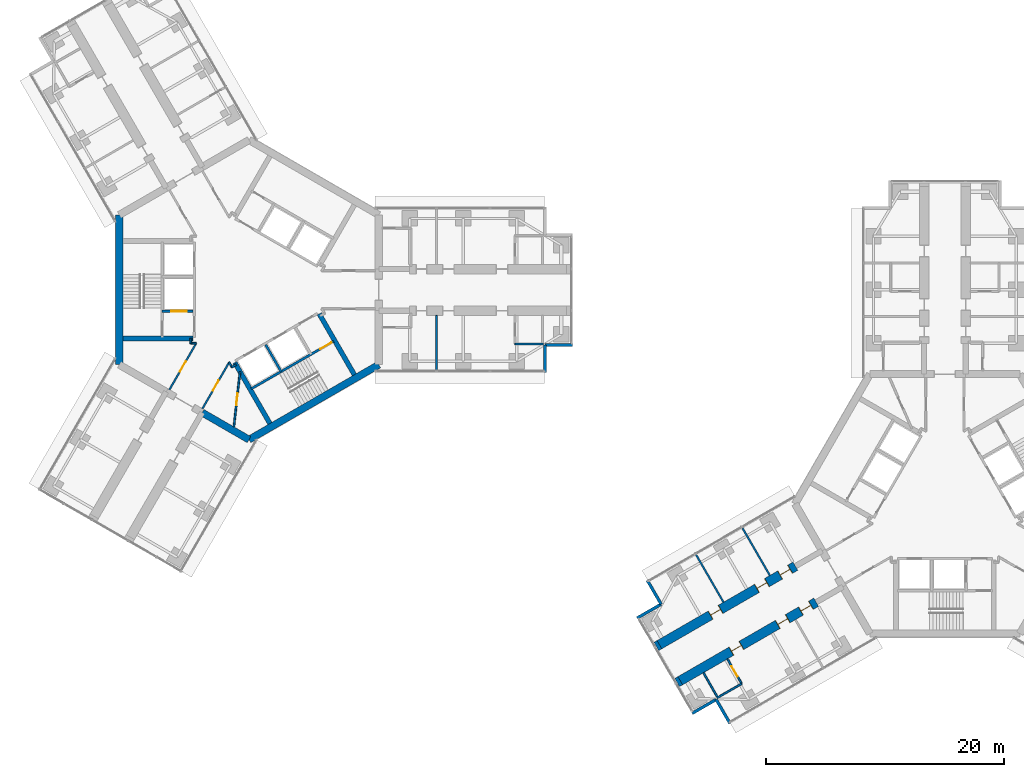
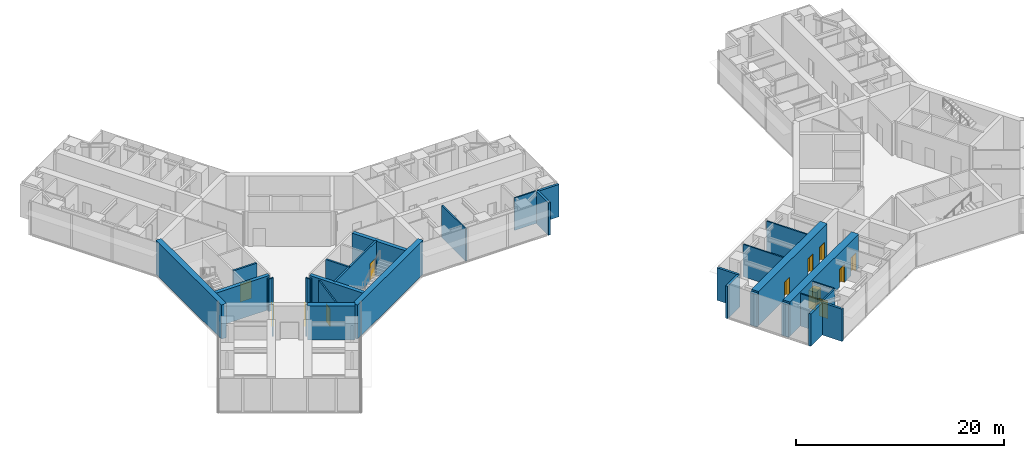
# One storey, part 15 of 22: 33 walls, 12 doors, 12 openings.
"""IFC4 building model written with IfcOpenShell, lengths in metres."""

from ifc_helpers import new_model, si_unit, direction, frame, frame_2d, origin, place, context, subcontext, project, spatial, rectangle, extrude, material, layer, layer_set, type_object, element, fill, save


model = new_model("IFC4")

# Units and contexts
model_context = context("Model", 3, precision=1e-05, world=origin(), true_north=direction((0.0, 1.0)))
body_context = subcontext(model_context, "Body", "Model", "MODEL_VIEW")
ifc_project = project(units=[si_unit("LENGTHUNIT", "METRE"), si_unit("AREAUNIT", "SQUARE_METRE"), si_unit("VOLUMEUNIT", "CUBIC_METRE"), si_unit("PLANEANGLEUNIT", "RADIAN"), si_unit("MASSUNIT", "GRAM", prefix="KILO")], contexts=[model_context])

# Site, building, storey
site_placement = place(None, origin())
site = spatial("IfcSite", under=ifc_project, at=site_placement, CompositionType="ELEMENT")
building_placement = place(site_placement, origin())
building = spatial("IfcBuilding", under=site, at=building_placement, Name="Upepo Twin Towers", CompositionType="ELEMENT")
storey_placement = place(building_placement, frame((0.0, 0.0, 125.5)))
storey = spatial("IfcBuildingStorey", under=building, at=storey_placement, Name="L30", CompositionType="ELEMENT", Elevation=125.5)

# Walls
ifc_material_1 = material(Name="Dense concrete blockwork", Category="masonry")
ifc_layer_1 = layer(ifc_material_1, 0.800048828125)
ifc_layer_set_1 = layer_set([ifc_layer_1], Name="Buttress closer 800, blockwork with fire-stopping to the curtain wall")
wall_type_1 = type_object("IfcWallType", Name="Buttress closer 800, blockwork with fire-stopping to the curtain wall", PredefinedType="PARTITIONING", material=ifc_layer_set_1)
wall_1_placement = place(storey_placement, frame((36.252197265625, -32.865478515625, 0.0), z_axis=(0.0, 0.0, 1.0), x_axis=(-0.865778900179, -0.500426713919, 0.0)))
element("IfcWall", 1, at=wall_1_placement, inside=storey, type_object=wall_type_1, Name="T2 L30 wing B buttress closer L", PredefinedType="PARTITIONING", context=body_context, shape_type="SweptSolid", body=[
    extrude(rectangle(XDim=0.300048828125, YDim=0.800048828125, at=frame_2d((0.14990234375, 0.0))), origin(), (0.0, 0.0, 1.0), 3.800048828125),
])
wall_2_placement = place(storey_placement, frame((34.502197265625, -29.83447265625, 0.0), z_axis=(0.0, 0.0, 1.0), x_axis=(-0.866131372301, -0.499816412211, 0.0)))
element("IfcWall", 2, at=wall_2_placement, inside=storey, type_object=wall_type_1, Name="T2 L30 wing B buttress closer R", PredefinedType="PARTITIONING", context=body_context, shape_type="SweptSolid", body=[
    extrude(rectangle(XDim=0.2998046875, YDim=0.800048828125, at=frame_2d((0.14990234375, 0.0))), origin(), (0.0, 0.0, 1.0), 3.800048828125),
])

# Wall, openings, doors
ifc_material_2 = material(Name="Concrete C60/75", Category="concrete")
ifc_layer_2 = layer(ifc_material_2, 0.800048828125)
ifc_layer_set_2 = layer_set([ifc_layer_2], Name="Concrete C60/75")
wall_type_2 = type_object("IfcWallType", Name="Buttress wall 800 RC", PredefinedType="SHEAR", material=ifc_layer_set_2)
wall_3_placement = place(storey_placement, frame((47.68359375, -26.265625, 0.0), z_axis=(0.0, 0.0, 1.0), x_axis=(-0.866027579429, -0.499996231654, 0.0)))
wall_3 = element("IfcWall", 3, at=wall_3_placement, inside=storey, type_object=wall_type_2, Name="T2 wing B buttress wall L part 2", PredefinedType="SHEAR", context=body_context, shape_type="SweptSolid", body=[
    extrude(rectangle(XDim=13.19970703125, YDim=0.800048828125, at=frame_2d((6.599853515625, 0.0))), origin(), (0.0, 0.0, 1.0), 4.0),
])
opening_1_placement = place(wall_3_placement, frame((0.5, 0.0, 0.0)))
opening_1 = element("IfcOpeningElement", 4, at=opening_1_placement, cuts=wall_3, Name="Opening D1", PredefinedType="OPENING", context=body_context, shape_type="SweptSolid", body=[
    extrude(rectangle(XDim=1.0, YDim=2.10009765625, at=frame_2d((0.5, 1.050048828125))), frame((0.0, 0.409912109375, 0.0), z_axis=(0.0, -1.0, 0.0), x_axis=(1.0, 0.0, 0.0)), (0.0, 0.0, 1.0), 0.820068359375),
])
opening_2_placement = place(wall_3_placement, frame((2.75, 0.0, 0.0)))
opening_2 = element("IfcOpeningElement", 5, at=opening_2_placement, cuts=wall_3, Name="Opening D1", PredefinedType="OPENING", context=body_context, shape_type="SweptSolid", body=[
    extrude(rectangle(XDim=1.0, YDim=2.10009765625, at=frame_2d((0.5, 1.050048828125))), frame((0.0, 0.409912109375, 0.0), z_axis=(0.0, -1.0, 0.0), x_axis=(1.0, 0.0, 0.0)), (0.0, 0.0, 1.0), 0.820068359375),
])
opening_3_placement = place(wall_3_placement, frame((7.25, 0.0, 0.0)))
opening_3 = element("IfcOpeningElement", 6, at=opening_3_placement, cuts=wall_3, Name="Opening D1", PredefinedType="OPENING", context=body_context, shape_type="SweptSolid", body=[
    extrude(rectangle(XDim=1.0, YDim=2.10009765625, at=frame_2d((0.5, 1.050048828125))), frame((0.0, 0.409912109375, 0.0), z_axis=(0.0, -1.0, 0.0), x_axis=(1.0, 0.0, 0.0)), (0.0, 0.0, 1.0), 0.820068359375),
])
ifc_material_3 = material(Name="Timber doorset", Category="wood")
door_type_1 = type_object("IfcDoorType", Name="Room door 1000 FD30", OperationType="SINGLE_SWING_LEFT", PredefinedType="DOOR", material=ifc_material_3)
door_1_placement = place(opening_1_placement, origin())
door_1 = element("IfcDoor", 7, at=door_1_placement, inside=storey, type_object=door_type_1, Name="T2 L30 tutorial room door", OperationType="SINGLE_SWING_LEFT", OverallHeight=2.10009765625, OverallWidth=1.0, PredefinedType="DOOR", context=body_context, shape_type="SweptSolid", body=[
    extrude(rectangle(XDim=0.92, YDim=2.06009765625, at=frame_2d((0.5, 1.030029296875))), frame((0.0, 0.02490234375, 0.0), z_axis=(0.0, -1.0, 0.0), x_axis=(1.0, 0.0, 0.0)), (0.0, 0.0, 1.0), 0.050048828125),
    extrude(rectangle(XDim=0.04, YDim=2.10009765625, at=frame_2d((0.02001953125, 1.050048828125))), frame((0.0, 0.39990234375, 0.0), z_axis=(0.0, -1.0, 0.0), x_axis=(1.0, 0.0, 0.0)), (0.0, 0.0, 1.0), 0.799560546875),
    extrude(rectangle(XDim=0.04, YDim=2.10009765625, at=frame_2d((0.97998046875, 1.050048828125))), frame((0.0, 0.39990234375, 0.0), z_axis=(0.0, -1.0, 0.0), x_axis=(1.0, 0.0, 0.0)), (0.0, 0.0, 1.0), 0.799560546875),
    extrude(rectangle(XDim=0.92, YDim=0.04, at=frame_2d((0.5, 2.080078125))), frame((0.0, 0.39990234375, 0.0), z_axis=(0.0, -1.0, 0.0), x_axis=(1.0, 0.0, 0.0)), (0.0, 0.0, 1.0), 0.799560546875),
])
fill(opening_1, door_1)
door_2_placement = place(opening_2_placement, origin())
door_2 = element("IfcDoor", 8, at=door_2_placement, inside=storey, type_object=door_type_1, Name="T2 L30 law clinic door", OperationType="SINGLE_SWING_LEFT", OverallHeight=2.10009765625, OverallWidth=1.0, PredefinedType="DOOR", context=body_context, shape_type="SweptSolid", body=[
    extrude(rectangle(XDim=0.92, YDim=2.06009765625, at=frame_2d((0.5, 1.030029296875))), frame((0.0, 0.02490234375, 0.0), z_axis=(0.0, -1.0, 0.0), x_axis=(1.0, 0.0, 0.0)), (0.0, 0.0, 1.0), 0.050048828125),
    extrude(rectangle(XDim=0.04, YDim=2.10009765625, at=frame_2d((0.02001953125, 1.050048828125))), frame((0.0, 0.39990234375, 0.0), z_axis=(0.0, -1.0, 0.0), x_axis=(1.0, 0.0, 0.0)), (0.0, 0.0, 1.0), 0.799560546875),
    extrude(rectangle(XDim=0.04, YDim=2.10009765625, at=frame_2d((0.97998046875, 1.050048828125))), frame((0.0, 0.39990234375, 0.0), z_axis=(0.0, -1.0, 0.0), x_axis=(1.0, 0.0, 0.0)), (0.0, 0.0, 1.0), 0.799560546875),
    extrude(rectangle(XDim=0.92, YDim=0.04, at=frame_2d((0.5, 2.080078125))), frame((0.0, 0.39990234375, 0.0), z_axis=(0.0, -1.0, 0.0), x_axis=(1.0, 0.0, 0.0)), (0.0, 0.0, 1.0), 0.799560546875),
])
fill(opening_2, door_2)
door_3_placement = place(opening_3_placement, origin())
door_3 = element("IfcDoor", 9, at=door_3_placement, inside=storey, type_object=door_type_1, Name="T2 L30 law clinic door", OperationType="SINGLE_SWING_RIGHT", OverallHeight=2.10009765625, OverallWidth=1.0, PredefinedType="DOOR", context=body_context, shape_type="SweptSolid", body=[
    extrude(rectangle(XDim=0.92, YDim=2.06009765625, at=frame_2d((0.5, 1.030029296875))), frame((0.0, 0.02490234375, 0.0), z_axis=(0.0, -1.0, 0.0), x_axis=(1.0, 0.0, 0.0)), (0.0, 0.0, 1.0), 0.050048828125),
    extrude(rectangle(XDim=0.04, YDim=2.10009765625, at=frame_2d((0.02001953125, 1.050048828125))), frame((0.0, 0.39990234375, 0.0), z_axis=(0.0, -1.0, 0.0), x_axis=(1.0, 0.0, 0.0)), (0.0, 0.0, 1.0), 0.799560546875),
    extrude(rectangle(XDim=0.04, YDim=2.10009765625, at=frame_2d((0.97998046875, 1.050048828125))), frame((0.0, 0.39990234375, 0.0), z_axis=(0.0, -1.0, 0.0), x_axis=(1.0, 0.0, 0.0)), (0.0, 0.0, 1.0), 0.799560546875),
    extrude(rectangle(XDim=0.92, YDim=0.04, at=frame_2d((0.5, 2.080078125))), frame((0.0, 0.39990234375, 0.0), z_axis=(0.0, -1.0, 0.0), x_axis=(1.0, 0.0, 0.0)), (0.0, 0.0, 1.0), 0.799560546875),
])
fill(opening_3, door_3)

wall_4_placement = place(storey_placement, frame((45.93359375, -23.234375, 0.0), z_axis=(0.0, 0.0, 1.0), x_axis=(-0.866019570528, -0.500010103361, 0.0)))
wall_4 = element("IfcWall", 10, at=wall_4_placement, inside=storey, type_object=wall_type_2, Name="T2 wing B buttress wall R part 2", PredefinedType="SHEAR", context=body_context, shape_type="SweptSolid", body=[
    extrude(rectangle(XDim=13.199951171875, YDim=0.800048828125, at=frame_2d((6.60009765625, 0.0))), origin(), (0.0, 0.0, 1.0), 4.0),
])
opening_4_placement = place(wall_4_placement, frame((0.5, 0.0, 0.0)))
opening_4 = element("IfcOpeningElement", 11, at=opening_4_placement, cuts=wall_4, Name="Opening D1", PredefinedType="OPENING", context=body_context, shape_type="SweptSolid", body=[
    extrude(rectangle(XDim=1.0, YDim=2.10009765625, at=frame_2d((0.5, 1.050048828125))), frame((0.0, 0.409912109375, 0.0), z_axis=(0.0, -1.0, 0.0), x_axis=(1.0, 0.0, 0.0)), (0.0, 0.0, 1.0), 0.820068359375),
])
opening_5_placement = place(wall_4_placement, frame((2.75, 0.0, 0.0)))
opening_5 = element("IfcOpeningElement", 12, at=opening_5_placement, cuts=wall_4, Name="Opening D1", PredefinedType="OPENING", context=body_context, shape_type="SweptSolid", body=[
    extrude(rectangle(XDim=1.0, YDim=2.10009765625, at=frame_2d((0.5, 1.050048828125))), frame((0.0, 0.409912109375, 0.0), z_axis=(0.0, -1.0, 0.0), x_axis=(1.0, 0.0, 0.0)), (0.0, 0.0, 1.0), 0.820068359375),
])
opening_6_placement = place(wall_4_placement, frame((7.25, 0.0, 0.0)))
opening_6 = element("IfcOpeningElement", 13, at=opening_6_placement, cuts=wall_4, Name="Opening D1", PredefinedType="OPENING", context=body_context, shape_type="SweptSolid", body=[
    extrude(rectangle(XDim=1.0, YDim=2.10009765625, at=frame_2d((0.5, 1.050048828125))), frame((0.0, 0.409912109375, 0.0), z_axis=(0.0, -1.0, 0.0), x_axis=(1.0, 0.0, 0.0)), (0.0, 0.0, 1.0), 0.820068359375),
])
door_4_placement = place(opening_4_placement, origin())
door_4 = element("IfcDoor", 14, at=door_4_placement, inside=storey, type_object=door_type_1, Name="T2 L30 staff office door", OperationType="SINGLE_SWING_LEFT", OverallHeight=2.10009765625, OverallWidth=1.0, PredefinedType="DOOR", context=body_context, shape_type="SweptSolid", body=[
    extrude(rectangle(XDim=0.92, YDim=2.06009765625, at=frame_2d((0.5, 1.030029296875))), frame((0.0, 0.02490234375, 0.0), z_axis=(0.0, -1.0, 0.0), x_axis=(1.0, 0.0, 0.0)), (0.0, 0.0, 1.0), 0.050048828125),
    extrude(rectangle(XDim=0.04, YDim=2.10009765625, at=frame_2d((0.02001953125, 1.050048828125))), frame((0.0, 0.39990234375, 0.0), z_axis=(0.0, -1.0, 0.0), x_axis=(1.0, 0.0, 0.0)), (0.0, 0.0, 1.0), 0.799560546875),
    extrude(rectangle(XDim=0.04, YDim=2.10009765625, at=frame_2d((0.97998046875, 1.050048828125))), frame((0.0, 0.39990234375, 0.0), z_axis=(0.0, -1.0, 0.0), x_axis=(1.0, 0.0, 0.0)), (0.0, 0.0, 1.0), 0.799560546875),
    extrude(rectangle(XDim=0.92, YDim=0.04, at=frame_2d((0.5, 2.080078125))), frame((0.0, 0.39990234375, 0.0), z_axis=(0.0, -1.0, 0.0), x_axis=(1.0, 0.0, 0.0)), (0.0, 0.0, 1.0), 0.799560546875),
])
fill(opening_4, door_4)
door_5_placement = place(opening_5_placement, origin())
door_5 = element("IfcDoor", 15, at=door_5_placement, inside=storey, type_object=door_type_1, Name="T2 L30 seminar room door", OperationType="SINGLE_SWING_LEFT", OverallHeight=2.10009765625, OverallWidth=1.0, PredefinedType="DOOR", context=body_context, shape_type="SweptSolid", body=[
    extrude(rectangle(XDim=0.92, YDim=2.06009765625, at=frame_2d((0.5, 1.030029296875))), frame((0.0, 0.02490234375, 0.0), z_axis=(0.0, -1.0, 0.0), x_axis=(1.0, 0.0, 0.0)), (0.0, 0.0, 1.0), 0.050048828125),
    extrude(rectangle(XDim=0.04, YDim=2.10009765625, at=frame_2d((0.02001953125, 1.050048828125))), frame((0.0, 0.39990234375, 0.0), z_axis=(0.0, -1.0, 0.0), x_axis=(1.0, 0.0, 0.0)), (0.0, 0.0, 1.0), 0.799560546875),
    extrude(rectangle(XDim=0.04, YDim=2.10009765625, at=frame_2d((0.97998046875, 1.050048828125))), frame((0.0, 0.39990234375, 0.0), z_axis=(0.0, -1.0, 0.0), x_axis=(1.0, 0.0, 0.0)), (0.0, 0.0, 1.0), 0.799560546875),
    extrude(rectangle(XDim=0.92, YDim=0.04, at=frame_2d((0.5, 2.080078125))), frame((0.0, 0.39990234375, 0.0), z_axis=(0.0, -1.0, 0.0), x_axis=(1.0, 0.0, 0.0)), (0.0, 0.0, 1.0), 0.799560546875),
])
fill(opening_5, door_5)
door_6_placement = place(opening_6_placement, origin())
door_6 = element("IfcDoor", 16, at=door_6_placement, inside=storey, type_object=door_type_1, Name="T2 L30 tutorial room door", OperationType="SINGLE_SWING_RIGHT", OverallHeight=2.10009765625, OverallWidth=1.0, PredefinedType="DOOR", context=body_context, shape_type="SweptSolid", body=[
    extrude(rectangle(XDim=0.92, YDim=2.06009765625, at=frame_2d((0.5, 1.030029296875))), frame((0.0, 0.02490234375, 0.0), z_axis=(0.0, -1.0, 0.0), x_axis=(1.0, 0.0, 0.0)), (0.0, 0.0, 1.0), 0.050048828125),
    extrude(rectangle(XDim=0.04, YDim=2.10009765625, at=frame_2d((0.02001953125, 1.050048828125))), frame((0.0, 0.39990234375, 0.0), z_axis=(0.0, -1.0, 0.0), x_axis=(1.0, 0.0, 0.0)), (0.0, 0.0, 1.0), 0.799560546875),
    extrude(rectangle(XDim=0.04, YDim=2.10009765625, at=frame_2d((0.97998046875, 1.050048828125))), frame((0.0, 0.39990234375, 0.0), z_axis=(0.0, -1.0, 0.0), x_axis=(1.0, 0.0, 0.0)), (0.0, 0.0, 1.0), 0.799560546875),
    extrude(rectangle(XDim=0.92, YDim=0.04, at=frame_2d((0.5, 2.080078125))), frame((0.0, 0.39990234375, 0.0), z_axis=(0.0, -1.0, 0.0), x_axis=(1.0, 0.0, 0.0)), (0.0, 0.0, 1.0), 0.799560546875),
])
fill(opening_6, door_6)

# Walls
ifc_material_4 = material(Name="Concrete C60/75", Category="concrete")
ifc_layer_3 = layer(ifc_material_4, 0.60009765625)
ifc_layer_set_3 = layer_set([ifc_layer_3], Name="Concrete C60/75")
wall_type_3 = type_object("IfcWallType", Name="Core wall 600 RC", PredefinedType="SHEAR", material=ifc_layer_set_3)
wall_5_placement = place(storey_placement, frame((-10.908447265625, 6.2978515625, 0.0), z_axis=(0.0, 0.0, 1.0), x_axis=(0.0, -1.0, 0.0)))
element("IfcWall", 17, at=wall_5_placement, inside=storey, type_object=wall_type_3, Name="T1 core wall 180", PredefinedType="SHEAR", context=body_context, shape_type="SweptSolid", body=[
    extrude(rectangle(XDim=12.595703125, YDim=0.60009765625, at=frame_2d((6.2978515625, 0.0))), origin(), (0.0, 0.0, 1.0), 4.0),
])
wall_6_placement = place(storey_placement, frame((-3.938720703125, -10.32177734375, 0.0), z_axis=(0.0, 0.0, 1.0), x_axis=(0.866011268655, -0.500024481964, 0.0)))
element("IfcWall", 18, at=wall_6_placement, inside=storey, type_object=wall_type_3, Name="T1 core wall 240 L", PredefinedType="SHEAR", context=body_context, shape_type="SweptSolid", body=[
    extrude(rectangle(XDim=4.548095703125, YDim=0.60009765625, at=frame_2d((2.27392578125, 0.0))), origin(), (0.0, 0.0, 1.0), 4.0),
])
wall_7_placement = place(storey_placement, frame((0.0, -12.595947265625, 0.0), z_axis=(0.0, 0.0, 1.0), x_axis=(0.866021940709, 0.500005998175, 0.0)))
element("IfcWall", 19, at=wall_7_placement, inside=storey, type_object=wall_type_3, Name="T1 core wall 300", PredefinedType="SHEAR", context=body_context, shape_type="SweptSolid", body=[
    extrude(rectangle(XDim=12.595947265625, YDim=0.60009765625, at=frame_2d((6.2978515625, 0.0))), origin(), (0.0, 0.0, 1.0), 4.0),
])
ifc_material_5 = material(Name="Blockwork with anodised aluminium cladding", Category="masonry")
ifc_layer_4 = layer(ifc_material_5, 0.25)
ifc_layer_set_4 = layer_set([ifc_layer_4], Name="Notch cladding wall 250, pale metal")
wall_type_4 = type_object("IfcWallType", Name="Notch cladding wall 250, pale metal", PredefinedType="STANDARD", material=ifc_layer_set_4)
for number, where, z_axis, x_axis, name in (
    (20, (24.875, -6.949951171875, 0.0), (0.0, 0.0, 1.0), (0.0, 1.0, 0.0), "T1 L30 wing A notch wall R1"),
    (21, (24.875, -4.625, 0.0), (0.0, 0.0, 1.0), (1.0, 0.0, 0.0), "T1 L30 wing A notch wall R2"),
    (22, (40.4326171875, -36.456298828125, 0.0), (0.0, 0.0, 1.0), (-0.500046648681, 0.865998469481, 0.0), "T2 L30 wing B notch wall L1"),
    (23, (39.27001953125, -34.44287109375, 0.0), (0.0, 0.0, 1.0), (-0.865998469481, -0.500046648681, 0.0), "T2 L30 wing B notch wall L2"),
    (24, (33.482666015625, -24.418701171875, 0.0), (0.0, 0.0, 1.0), (0.499967891604, -0.866043940782, 0.0), "T2 L30 wing B notch wall R1"),
    (25, (34.64501953125, -26.43212890625, 0.0), (0.0, 0.0, 1.0), (-0.865998469481, -0.500046648681, 0.0), "T2 L30 wing B notch wall R2"),
):
    element("IfcWall", number, at=place(storey_placement, frame(where, z_axis=z_axis, x_axis=x_axis)), inside=storey, type_object=wall_type_4, Name=name, PredefinedType="STANDARD", context=body_context, shape_type="SweptSolid", body=[
        extrude(rectangle(XDim=2.324951171875, YDim=0.25, at=frame_2d((1.16259765625, 0.0))), origin(), (0.0, 0.0, 1.0), 3.800048828125),
    ])

# Wall, opening, door
ifc_material_6 = material(Name="Concrete C40/50", Category="concrete")
ifc_layer_5 = layer(ifc_material_6, 0.199951171875)
ifc_layer_set_5 = layer_set([ifc_layer_5], Name="Concrete C40/50")
wall_type_5 = type_object("IfcWallType", Name="Shaft wall 200 RC", PredefinedType="SHEAR", material=ifc_layer_set_5)
wall_8_placement = place(storey_placement, frame((-4.699951171875, -1.800048828125, 0.0), z_axis=(0.0, 0.0, 1.0), x_axis=(-1.0, 0.0, 0.0)))
wall_8 = element("IfcWall", 26, at=wall_8_placement, inside=storey, type_object=wall_type_5, Name="T1 core W180 lobby wall", PredefinedType="SHEAR", context=body_context, shape_type="SweptSolid", body=[
    extrude(rectangle(XDim=2.60009765625, YDim=0.199951171875, at=frame_2d((1.300048828125, 0.0))), origin(), (0.0, 0.0, 1.0), 4.0),
])
opening_7_placement = place(wall_8_placement, frame((0.550048828125, 0.0, 0.0)))
opening_7 = element("IfcOpeningElement", 27, at=opening_7_placement, cuts=wall_8, Name="Opening LD2", PredefinedType="OPENING", context=body_context, shape_type="SweptSolid", body=[
    extrude(rectangle(XDim=1.300048828125, YDim=2.199951171875, at=frame_2d((0.64990234375, 1.10009765625))), frame((0.0, 0.10986328125, 0.0), z_axis=(0.0, -1.0, 0.0), x_axis=(1.0, 0.0, 0.0)), (0.0, 0.0, 1.0), 0.219970703125),
])
ifc_material_7 = material(Name="Steel doorset", Category="steel")
door_type_2 = type_object("IfcDoorType", Name="Firefighting lift landing door 1300", OperationType="DOUBLE_DOOR_SLIDING", PredefinedType="DOOR", material=ifc_material_7)
door_7_placement = place(opening_7_placement, origin())
door_7 = element("IfcDoor", 28, at=door_7_placement, inside=storey, type_object=door_type_2, Name="T1 L30 firefighting lift landing door", OperationType="DOUBLE_DOOR_SLIDING", OverallHeight=2.199951171875, OverallWidth=1.300048828125, PredefinedType="DOOR", context=body_context, shape_type="SweptSolid", body=[
    extrude(rectangle(XDim=1.300048828125, YDim=2.199951171875, at=frame_2d((0.64990234375, 1.10009765625))), frame((0.0, 0.02490234375, 0.0), z_axis=(0.0, -1.0, 0.0), x_axis=(1.0, 0.0, 0.0)), (0.0, 0.0, 1.0), 0.050048828125),
])
fill(opening_7, door_7)

# Wall
wall_9_placement = place(storey_placement, frame((1.3974609375, -4.620361328125, 0.0), z_axis=(0.0, 0.0, 1.0), x_axis=(0.499936506574, -0.866062058628, 0.0)))
element("IfcWall", 29, at=wall_9_placement, inside=storey, type_object=wall_type_5, Name="T1 core W300 shaft divider", PredefinedType="SHEAR", context=body_context, shape_type="SweptSolid", body=[
    extrude(rectangle(XDim=2.599853515625, YDim=0.199951171875, at=frame_2d((1.2998046875, 0.0))), origin(), (0.0, 0.0, 1.0), 4.0),
])

# Wall, opening, door
wall_10_placement = place(storey_placement, frame((0.185791015625, -8.322021484375, 0.0), z_axis=(0.0, 0.0, 1.0), x_axis=(0.866026010844, 0.49999894854, 0.0)))
wall_10 = element("IfcWall", 30, at=wall_10_placement, inside=storey, type_object=wall_type_5, Name="T1 core W300 stair wall", PredefinedType="SHEAR", context=body_context, shape_type="SweptSolid", body=[
    extrude(rectangle(XDim=8.0, YDim=0.199951171875, at=frame_2d((4.0, 0.0))), origin(), (0.0, 0.0, 1.0), 4.0),
])
opening_8_placement = place(wall_10_placement, frame((6.699951171875, 0.0, 0.0)))
opening_8 = element("IfcOpeningElement", 31, at=opening_8_placement, cuts=wall_10, Name="Opening D3", PredefinedType="OPENING", context=body_context, shape_type="SweptSolid", body=[
    extrude(rectangle(XDim=1.10009765625, YDim=2.10009765625, at=frame_2d((0.550048828125, 1.050048828125))), frame((0.0, 0.10986328125, 0.0), z_axis=(0.0, -1.0, 0.0), x_axis=(1.0, 0.0, 0.0)), (0.0, 0.0, 1.0), 0.219970703125),
])
ifc_material_8 = material(Name="Timber doorset", Category="wood")
door_type_3 = type_object("IfcDoorType", Name="Stair door 1100 FD60", OperationType="SINGLE_SWING_LEFT", PredefinedType="DOOR", material=ifc_material_8)
door_8_placement = place(opening_8_placement, origin())
door_8 = element("IfcDoor", 32, at=door_8_placement, inside=storey, type_object=door_type_3, Name="T1 L30 stair door", OperationType="SINGLE_SWING_RIGHT", OverallHeight=2.10009765625, OverallWidth=1.10009765625, PredefinedType="DOOR", context=body_context, shape_type="SweptSolid", body=[
    extrude(rectangle(XDim=1.10009765625, YDim=2.10009765625, at=frame_2d((0.550048828125, 1.050048828125))), frame((0.0, 0.02490234375, 0.0), z_axis=(0.0, -1.0, 0.0), x_axis=(1.0, 0.0, 0.0)), (0.0, 0.0, 1.0), 0.050048828125),
])
fill(opening_8, door_8)

# Walls
ifc_material_9 = material(Name="Concrete C40/50", Category="concrete")
ifc_layer_6 = layer(ifc_material_9, 0.39990234375)
ifc_layer_set_6 = layer_set([ifc_layer_6], Name="Concrete C40/50")
wall_type_6 = type_object("IfcWallType", Name="Shaft wall 400 RC", PredefinedType="SHEAR", material=ifc_layer_set_6)
for number, where, z_axis, x_axis, name in (
    (33, (-4.699951171875, -4.10009765625, 0.0), (0.0, 0.0, 1.0), (-1.0, 0.0, 0.0), "T1 core W180 side wall N"),
    (34, (5.900634765625, -2.020263671875, 0.0), (0.0, 0.0, 1.0), (0.500027676417, -0.866009424208, 0.0), "T1 core W300 side wall N"),
):
    element("IfcWall", number, at=place(storey_placement, frame(where, z_axis=z_axis, x_axis=x_axis)), inside=storey, type_object=wall_type_6, Name=name, PredefinedType="SHEAR", context=body_context, shape_type="SweptSolid", body=[
        extrude(rectangle(XDim=5.908447265625, YDim=0.39990234375, at=frame_2d((2.9541015625, 0.0))), origin(), (0.0, 0.0, 1.0), 4.0),
    ])
wall_11_placement = place(storey_placement, frame((-1.20068359375, -6.120361328125, 0.0), z_axis=(0.0, 0.0, 1.0), x_axis=(0.49999668571, -0.866027317282, 0.0)))
element("IfcWall", 35, at=wall_11_placement, inside=storey, type_object=wall_type_6, Name="T1 core W300 side wall S", PredefinedType="SHEAR", context=body_context, shape_type="SweptSolid", body=[
    extrude(rectangle(XDim=5.908203125, YDim=0.39990234375, at=frame_2d((2.9541015625, 0.0))), origin(), (0.0, 0.0, 1.0), 4.0),
])
ifc_material_10 = material(Name="Gypsum board on steel studs", Category="steel")
ifc_layer_7 = layer(ifc_material_10, 0.14990234375)
ifc_layer_set_7 = layer_set([ifc_layer_7], Name="Teaching partition 150 acoustic")
wall_type_7 = type_object("IfcWallType", Name="Teaching partition 150 acoustic", PredefinedType="PARTITIONING", material=ifc_layer_set_7)
wall_12_placement = place(storey_placement, frame((15.75, -2.14990234375, 0.0), z_axis=(0.0, 0.0, 1.0), x_axis=(0.0, -1.0, 0.0)))
element("IfcWall", 36, at=wall_12_placement, inside=storey, type_object=wall_type_7, Name="T1 partition AR at 15.75", PredefinedType="PARTITIONING", context=body_context, shape_type="SweptSolid", body=[
    extrude(rectangle(XDim=4.60009765625, YDim=0.14990234375, at=frame_2d((2.300048828125, 0.0))), origin(), (0.0, 0.0, 1.0), 3.800048828125),
])
wall_13_placement = place(storey_placement, frame((22.35009765625, -4.550048828125, 0.0), z_axis=(0.0, 0.0, 1.0), x_axis=(1.0, 0.0, 0.0)))
element("IfcWall", 37, at=wall_13_placement, inside=storey, type_object=wall_type_7, Name="T1 inner room partition AR at 22.35", PredefinedType="PARTITIONING", context=body_context, shape_type="SweptSolid", body=[
    extrude(rectangle(XDim=2.39990234375, YDim=0.14990234375, at=frame_2d((1.199951171875, 0.0))), origin(), (0.0, 0.0, 1.0), 3.800048828125),
])
wall_14_placement = place(storey_placement, frame((-1.092041015625, -6.28857421875, 0.0), z_axis=(0.0, 0.0, 1.0), x_axis=(-0.866138304741, -0.499804398801, 0.0)))
element("IfcWall", 38, at=wall_14_placement, inside=storey, type_object=wall_type_7, Name="T1 core room partition 2", PredefinedType="PARTITIONING", context=body_context, shape_type="SweptSolid", body=[
    extrude(rectangle(XDim=0.429931640625, YDim=0.14990234375, at=frame_2d((0.21484375, 0.0))), origin(), (0.0, 0.0, 1.0), 3.800048828125),
])
wall_15_placement = place(storey_placement, frame((-1.43701171875, -6.5107421875, 0.0), z_axis=(0.0, 0.0, 1.0), x_axis=(-0.50033519877, 0.865831790172, 0.0)))
element("IfcWall", 39, at=wall_15_placement, inside=storey, type_object=wall_type_7, Name="T1 core room partition 3", PredefinedType="PARTITIONING", context=body_context, shape_type="SweptSolid", body=[
    extrude(rectangle(XDim=0.494384765625, YDim=0.14990234375, at=frame_2d((0.2470703125, 0.0))), origin(), (0.0, 0.0, 1.0), 3.800048828125),
])

# Wall, opening, door
wall_16_placement = place(storey_placement, frame((-1.664306640625, -6.082763671875, 0.0), z_axis=(0.0, 0.0, 1.0), x_axis=(-0.500032713409, -0.866006515865, 0.0)))
wall_16 = element("IfcWall", 40, at=wall_16_placement, inside=storey, type_object=wall_type_7, Name="T1 core room partition 4", PredefinedType="PARTITIONING", context=body_context, shape_type="SweptSolid", body=[
    extrude(rectangle(XDim=4.518310546875, YDim=0.14990234375, at=frame_2d((2.25927734375, 0.0))), origin(), (0.0, 0.0, 1.0), 3.800048828125),
])
opening_9_placement = place(wall_16_placement, frame((1.769287109375, 0.0, 0.0)))
opening_9 = element("IfcOpeningElement", 41, at=opening_9_placement, cuts=wall_16, Name="Opening D1", PredefinedType="OPENING", context=body_context, shape_type="SweptSolid", body=[
    extrude(rectangle(XDim=1.0, YDim=2.10009765625, at=frame_2d((0.5, 1.050048828125))), frame((0.0, 0.0849609375, 0.0), z_axis=(0.0, -1.0, 0.0), x_axis=(1.0, 0.0, 0.0)), (0.0, 0.0, 1.0), 0.169921875),
])
door_9_placement = place(opening_9_placement, origin())
door_9 = element("IfcDoor", 42, at=door_9_placement, inside=storey, type_object=door_type_1, Name="T1 L30 core room door K2", OperationType="SINGLE_SWING_RIGHT", OverallHeight=2.10009765625, OverallWidth=1.0, PredefinedType="DOOR", context=body_context, shape_type="SweptSolid", body=[
    extrude(rectangle(XDim=1.0, YDim=2.10009765625, at=frame_2d((0.5, 1.050048828125))), frame((0.0, 0.02490234375, 0.0), z_axis=(0.0, -1.0, 0.0), x_axis=(1.0, 0.0, 0.0)), (0.0, 0.0, 1.0), 0.050048828125),
])
fill(opening_9, door_9)

wall_17_placement = place(storey_placement, frame((-6.69482421875, -8.395751953125, 0.0), z_axis=(0.0, 0.0, 1.0), x_axis=(0.500009315796, 0.86602002524, 0.0)))
wall_17 = element("IfcWall", 43, at=wall_17_placement, inside=storey, type_object=wall_type_7, Name="T1 core room partition 5", PredefinedType="PARTITIONING", context=body_context, shape_type="SweptSolid", body=[
    extrude(rectangle(XDim=4.5185546875, YDim=0.14990234375, at=frame_2d((2.25927734375, 0.0))), origin(), (0.0, 0.0, 1.0), 3.800048828125),
])
opening_10_placement = place(wall_17_placement, frame((1.7490234375, 0.0, 0.0)))
opening_10 = element("IfcOpeningElement", 44, at=opening_10_placement, cuts=wall_17, Name="Opening D1", PredefinedType="OPENING", context=body_context, shape_type="SweptSolid", body=[
    extrude(rectangle(XDim=1.0, YDim=2.10009765625, at=frame_2d((0.5, 1.050048828125))), frame((0.0, 0.0849609375, 0.0), z_axis=(0.0, -1.0, 0.0), x_axis=(1.0, 0.0, 0.0)), (0.0, 0.0, 1.0), 0.169921875),
])
door_10_placement = place(opening_10_placement, origin())
door_10 = element("IfcDoor", 45, at=door_10_placement, inside=storey, type_object=door_type_1, Name="T1 L30 core room door K1", OperationType="SINGLE_SWING_LEFT", OverallHeight=2.10009765625, OverallWidth=1.0, PredefinedType="DOOR", context=body_context, shape_type="SweptSolid", body=[
    extrude(rectangle(XDim=1.0, YDim=2.10009765625, at=frame_2d((0.5, 1.050048828125))), frame((0.0, 0.02490234375, 0.0), z_axis=(0.0, -1.0, 0.0), x_axis=(1.0, 0.0, 0.0)), (0.0, 0.0, 1.0), 0.050048828125),
])
fill(opening_10, door_10)

# Walls
wall_18_placement = place(storey_placement, frame((-4.425537109375, -4.5, 0.0), z_axis=(0.0, 0.0, 1.0), x_axis=(-1.0, 0.0, 0.0)))
element("IfcWall", 46, at=wall_18_placement, inside=storey, type_object=wall_type_7, Name="T1 core room partition 6", PredefinedType="PARTITIONING", context=body_context, shape_type="SweptSolid", body=[
    extrude(rectangle(XDim=0.494384765625, YDim=0.14990234375, at=frame_2d((0.2470703125, 0.0))), origin(), (0.0, 0.0, 1.0), 3.800048828125),
])
wall_19_placement = place(storey_placement, frame((-4.89990234375, -4.52001953125, 0.0), z_axis=(0.0, 0.0, 1.0), x_axis=(0.0, 1.0, 0.0)))
element("IfcWall", 47, at=wall_19_placement, inside=storey, type_object=wall_type_7, Name="T1 core room partition 7", PredefinedType="PARTITIONING", context=body_context, shape_type="SweptSolid", body=[
    extrude(rectangle(XDim=0.429931640625, YDim=0.14990234375, at=frame_2d((0.21484375, 0.0))), origin(), (0.0, 0.0, 1.0), 3.800048828125),
])

# Wall, opening, door
wall_20_placement = place(storey_placement, frame((-0.761474609375, -6.881103515625, 0.0), z_axis=(0.0, 0.0, 1.0), x_axis=(-0.109994603044, -0.993932184458, 0.0)))
wall_20 = element("IfcWall", 48, at=wall_20_placement, inside=storey, type_object=wall_type_7, Name="T1 core room partition 19", PredefinedType="PARTITIONING", context=body_context, shape_type="SweptSolid", body=[
    extrude(rectangle(XDim=4.6611328125, YDim=0.14990234375, at=frame_2d((2.33056640625, 0.0))), origin(), (0.0, 0.0, 1.0), 3.800048828125),
])
opening_11_placement = place(wall_20_placement, frame((1.83056640625, 0.0, 0.0)))
opening_11 = element("IfcOpeningElement", 49, at=opening_11_placement, cuts=wall_20, Name="Opening D1", PredefinedType="OPENING", context=body_context, shape_type="SweptSolid", body=[
    extrude(rectangle(XDim=1.0, YDim=2.10009765625, at=frame_2d((0.5, 1.050048828125))), frame((0.0, 0.0849609375, 0.0), z_axis=(0.0, -1.0, 0.0), x_axis=(1.0, 0.0, 0.0)), (0.0, 0.0, 1.0), 0.169921875),
])
door_11_placement = place(opening_11_placement, origin())
door_11 = element("IfcDoor", 50, at=door_11_placement, inside=storey, type_object=door_type_1, Name="T1 L30 core room door K3", OperationType="SINGLE_SWING_LEFT", OverallHeight=2.10009765625, OverallWidth=1.0, PredefinedType="DOOR", context=body_context, shape_type="SweptSolid", body=[
    extrude(rectangle(XDim=1.0, YDim=2.10009765625, at=frame_2d((0.5, 1.050048828125))), frame((0.0, 0.02490234375, 0.0), z_axis=(0.0, -1.0, 0.0), x_axis=(1.0, 0.0, 0.0)), (0.0, 0.0, 1.0), 0.050048828125),
])
fill(opening_11, door_11)

# Wall
wall_21_placement = place(storey_placement, frame((41.41943359375, -33.115478515625, 0.0), z_axis=(0.0, 0.0, 1.0), x_axis=(-0.866050077142, -0.499957262057, 0.0)))
element("IfcWall", 51, at=wall_21_placement, inside=storey, type_object=wall_type_7, Name="T2 inner room partition BL at 22.35", PredefinedType="PARTITIONING", context=body_context, shape_type="SweptSolid", body=[
    extrude(rectangle(XDim=2.400146484375, YDim=0.14990234375, at=frame_2d((1.2001953125, 0.0))), origin(), (0.0, 0.0, 1.0), 3.800048828125),
])

# Wall, opening, door
wall_22_placement = place(storey_placement, frame((40.21923828125, -31.036865234375, 0.0), z_axis=(0.0, 0.0, 1.0), x_axis=(0.500033551112, -0.866006032174, 0.0)))
wall_22 = element("IfcWall", 52, at=wall_22_placement, inside=storey, type_object=wall_type_7, Name="T2 inner room partition BL end at 22.35", PredefinedType="PARTITIONING", context=body_context, shape_type="SweptSolid", body=[
    extrude(rectangle(XDim=2.400146484375, YDim=0.14990234375, at=frame_2d((1.2001953125, 0.0))), origin(), (0.0, 0.0, 1.0), 3.800048828125),
])
opening_12_placement = place(wall_22_placement, frame((0.699951171875, 0.0, 0.0)))
opening_12 = element("IfcOpeningElement", 53, at=opening_12_placement, cuts=wall_22, Name="Opening D1", PredefinedType="OPENING", context=body_context, shape_type="SweptSolid", body=[
    extrude(rectangle(XDim=1.0, YDim=2.10009765625, at=frame_2d((0.5, 1.050048828125))), frame((0.0, 0.0849609375, 0.0), z_axis=(0.0, -1.0, 0.0), x_axis=(1.0, 0.0, 0.0)), (0.0, 0.0, 1.0), 0.169921875),
])
door_12_placement = place(opening_12_placement, origin())
door_12 = element("IfcDoor", 54, at=door_12_placement, inside=storey, type_object=door_type_1, Name="T2 L30 inner room door", OperationType="SINGLE_SWING_LEFT", OverallHeight=2.10009765625, OverallWidth=1.0, PredefinedType="DOOR", context=body_context, shape_type="SweptSolid", body=[
    extrude(rectangle(XDim=1.0, YDim=2.10009765625, at=frame_2d((0.5, 1.050048828125))), frame((0.0, 0.02490234375, 0.0), z_axis=(0.0, -1.0, 0.0), x_axis=(1.0, 0.0, 0.0)), (0.0, 0.0, 1.0), 0.050048828125),
])
fill(opening_12, door_12)

# Walls
wall_23_placement = place(storey_placement, frame((38.205810546875, -32.199462890625, 0.0), z_axis=(0.0, 0.0, 1.0), x_axis=(0.500001309137, -0.866024647952, 0.0)))
element("IfcWall", 55, at=wall_23_placement, inside=storey, type_object=wall_type_7, Name="T2 inner room partition BL end at 24.75", PredefinedType="PARTITIONING", context=body_context, shape_type="SweptSolid", body=[
    extrude(rectangle(XDim=2.39990234375, YDim=0.14990234375, at=frame_2d((1.199951171875, 0.0))), origin(), (0.0, 0.0, 1.0), 3.800048828125),
])
for number, where, z_axis, x_axis, name in (
    (56, (43.78515625, -24.012939453125, 0.0), (0.0, 0.0, 1.0), (-0.500014953309, 0.866016770315, 0.0), "T2 partition BR at 15.75"),
    (57, (39.887939453125, -26.262939453125, 0.0), (0.0, 0.0, 1.0), (-0.500014953309, 0.866016770315, 0.0), "T2 partition BR at 20.25"),
):
    element("IfcWall", number, at=place(storey_placement, frame(where, z_axis=z_axis, x_axis=x_axis)), inside=storey, type_object=wall_type_7, Name=name, PredefinedType="PARTITIONING", context=body_context, shape_type="SweptSolid", body=[
        extrude(rectangle(XDim=4.599853515625, YDim=0.14990234375, at=frame_2d((2.2998046875, 0.0))), origin(), (0.0, 0.0, 1.0), 3.800048828125),
    ])

save(model, "model.ifc")
